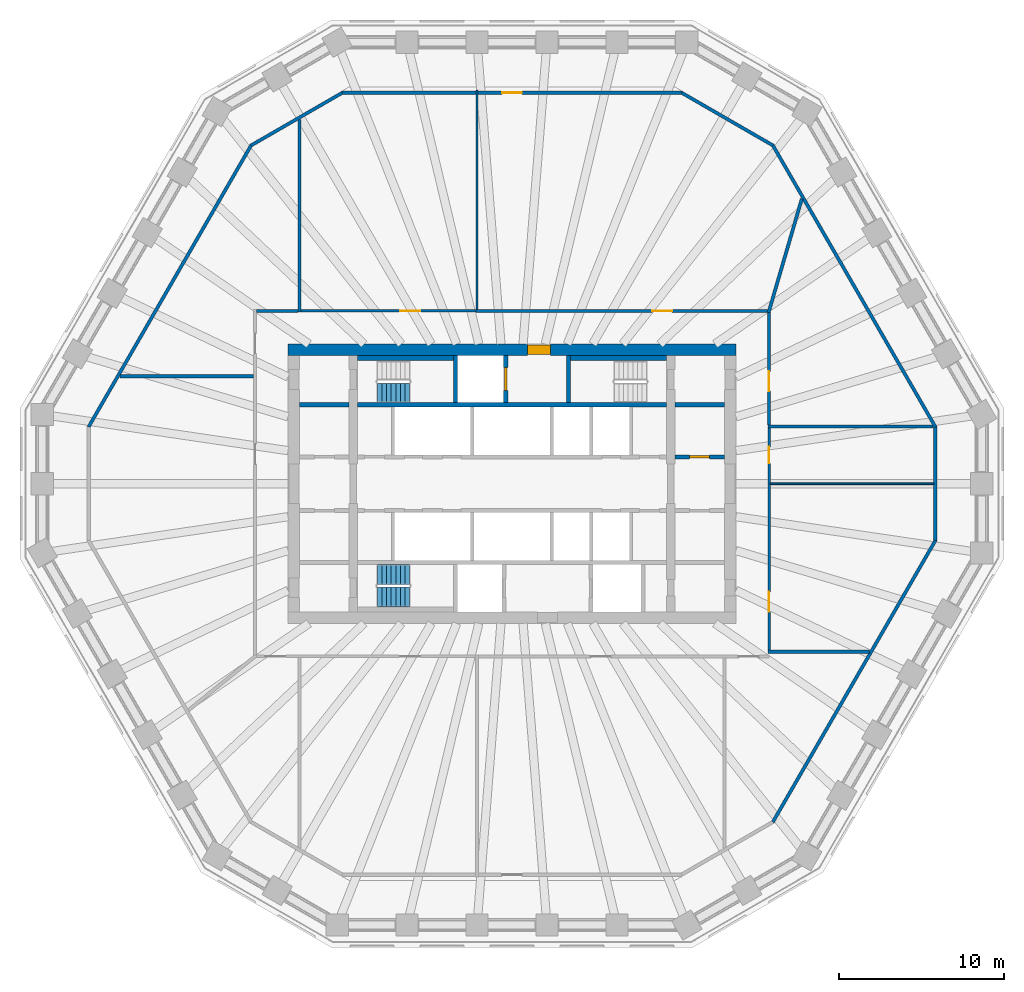
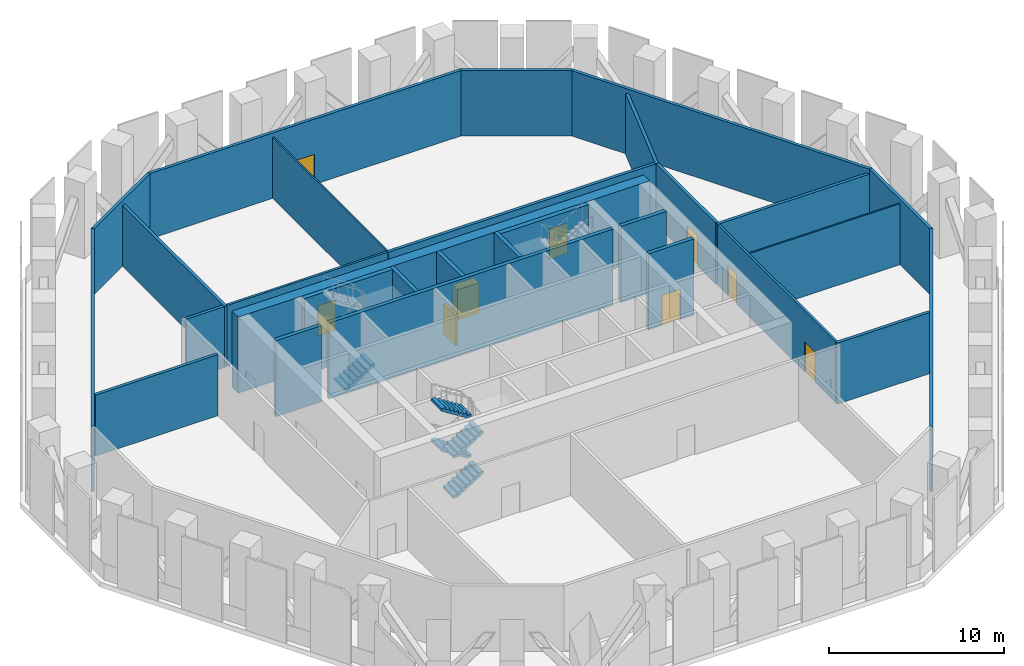
# One storey, part 5 of 8: 29 walls, 9 doors, 5 stair flights, 9 openings, 2 elements without a shape of their own.
"""IFC4 building model written with IfcOpenShell, lengths in metres."""

import ifcopenshell
import ifcopenshell.guid

model = None  # the IFC model being written
_history = None  # IfcOwnerHistory: only IFC2X3 demands one
_inside = {}  # id of a spatial element -> (the spatial element, [elements in it])
_under = {}  # id of a project, library or spatial element -> (it, [spatial elements below it])
_declared = {}  # id of a project -> (the project, [libraries it declares])
_typed = {}  # id of a type object -> (the type object, [elements of that type])
_made_of = {}  # id of a material, layer set ... -> (it, [elements and type objects made of it])


def new_model(schema):
    """Start an empty IFC model of exactly this schema.

    Asked for "IFC4X3", IfcOpenShell would pick the latest addendum, in which some entities
    have other attributes; the version numbers below select the first issue.
    IFC2X3 requires an IfcOwnerHistory on every rooted entity: one is made here for all.
    """
    global model, _history
    if schema == "IFC4X3":
        model = ifcopenshell.file(schema_version=(4, 3, 0, 0))
    else:
        model = ifcopenshell.file(schema=schema)
    _inside.clear()
    _under.clear()
    _declared.clear()
    _typed.clear()
    _made_of.clear()
    _history = None
    if model.schema == "IFC2X3":
        org = make("IfcOrganization", Name="unknown")
        user = make(
            "IfcPersonAndOrganization",
            ThePerson=make("IfcPerson", FamilyName="unknown"),
            TheOrganization=org,
        )
        app = make(
            "IfcApplication",
            ApplicationDeveloper=org,
            Version="unknown",
            ApplicationFullName="unknown",
            ApplicationIdentifier="unknown",
        )
        _history = make(
            "IfcOwnerHistory",
            OwningUser=user,
            OwningApplication=app,
            ChangeAction="ADDED",
            CreationDate=0,
        )
    return model


def make(cls, **values):
    """One entity of the class cls with the attributes given. An attribute that is None is left unset."""
    return model.create_entity(
        cls, **{name: value for name, value in values.items() if value is not None}
    )


def rooted(cls, **values):
    """An entity with a GlobalId (a new one), such as an element, a storey or a relation."""
    return make(cls, GlobalId=ifcopenshell.guid.new(), OwnerHistory=_history, **values)


def si_unit(unit_type, name, prefix=None):
    """IfcSIUnit, for example si_unit("LENGTHUNIT", "METRE", prefix="MILLI")."""
    return make("IfcSIUnit", UnitType=unit_type, Prefix=prefix, Name=name)


def assignment(units):
    """IfcUnitAssignment: the units of a project."""
    return None if units is None else make("IfcUnitAssignment", Units=units)


def point(xyz):
    """IfcCartesianPoint."""
    return None if xyz is None else make("IfcCartesianPoint", Coordinates=xyz)


def direction(xyz):
    """IfcDirection."""
    return None if xyz is None else make("IfcDirection", DirectionRatios=xyz)


def frame(location, z_axis=None, x_axis=None):
    """IfcAxis2Placement3D, a coordinate frame: its origin and axes. An axis left out is left unset."""
    return make(
        "IfcAxis2Placement3D",
        Location=point(location),
        Axis=direction(z_axis),
        RefDirection=direction(x_axis),
    )


def frame_2d(location, x_axis=None):
    """IfcAxis2Placement2D, a coordinate frame in the plane: its origin and x axis."""
    return make(
        "IfcAxis2Placement2D", Location=point(location), RefDirection=direction(x_axis)
    )


def origin():
    """The frame at (0, 0, 0) with its axes left unset."""
    return frame((0.0, 0.0, 0.0))


def place(relative_to, where):
    """IfcLocalPlacement: puts the frame where relative to a parent placement (None: the world)."""
    return make(
        "IfcLocalPlacement", PlacementRelTo=relative_to, RelativePlacement=where
    )


def context(
    kind, dimensions, precision=None, world=None, true_north=None, identifier=None
):
    """IfcGeometricRepresentationContext, for example the 3D "Model" context."""
    return make(
        "IfcGeometricRepresentationContext",
        ContextIdentifier=identifier,
        ContextType=kind,
        CoordinateSpaceDimension=dimensions,
        Precision=precision,
        WorldCoordinateSystem=world,
        TrueNorth=true_north,
    )


def subcontext(parent, identifier, kind, view, scale=None):
    """IfcGeometricRepresentationSubContext, for example "Body" below "Model"."""
    return make(
        "IfcGeometricRepresentationSubContext",
        ContextIdentifier=identifier,
        ContextType=kind,
        ParentContext=parent,
        TargetScale=scale,
        TargetView=view,
    )


def project(units=None, contexts=None):
    """IfcProject with its units and contexts."""
    return rooted(
        "IfcProject",
        Name="project",
        RepresentationContexts=contexts,
        UnitsInContext=assignment(units),
    )


def spatial(cls, under=None, at=None, **own):
    """A site, building, storey or space (cls), placed at a placement, below another one or the project."""
    s = rooted(cls, ObjectPlacement=at, **own)
    if under is not None:
        _under.setdefault(under.id(), (under, []))[1].append(s)
    return s


def polyline(points):
    """IfcPolyline through the points."""
    return make("IfcPolyline", Points=[point(p) for p in points])


def profile(cls, at=None, kind="AREA", **sizes):
    """A parametric profile (cls). Its sizes go by their IFC names, for example OverallWidth=200.0."""
    return make(cls, ProfileType=kind, Position=at, **sizes)


def rectangle(**sizes):
    """IfcRectangleProfileDef."""
    return profile("IfcRectangleProfileDef", **sizes)


def outline(outer, holes=None, kind="AREA"):
    """IfcArbitraryClosedProfileDef: a profile drawn as a closed curve; with holes, ...WithVoids."""
    if holes is None:
        return make("IfcArbitraryClosedProfileDef", ProfileType=kind, OuterCurve=outer)
    return make(
        "IfcArbitraryProfileDefWithVoids",
        ProfileType=kind,
        OuterCurve=outer,
        InnerCurves=holes,
    )


def extrude(swept, where, along, depth):
    """IfcExtrudedAreaSolid: the profile swept, set in the frame where, extruded along a direction by depth."""
    return make(
        "IfcExtrudedAreaSolid",
        SweptArea=swept,
        Position=where,
        ExtrudedDirection=direction(along),
        Depth=depth,
    )


def shape(context_of_items, identifier, shape_type, items):
    """IfcShapeRepresentation: the items that make up one representation, for example the "Body"."""
    return make(
        "IfcShapeRepresentation",
        ContextOfItems=context_of_items,
        RepresentationIdentifier=identifier,
        RepresentationType=shape_type,
        Items=items,
    )


def material(Name=None, Category=None):
    """IfcMaterial."""
    return make("IfcMaterial", Name=Name, Category=Category)


def layer(
    of_material, thickness, ventilated=None, Name=None, Category=None, Priority=None
):
    """IfcMaterialLayer: one layer of a wall or slab, of a material (None: an air gap)."""
    return make(
        "IfcMaterialLayer",
        Material=of_material,
        LayerThickness=thickness,
        IsVentilated=ventilated,
        Name=Name,
        Category=Category,
        Priority=Priority,
    )


def layer_set(layers, Name=None):
    """IfcMaterialLayerSet."""
    return make("IfcMaterialLayerSet", MaterialLayers=layers, LayerSetName=Name)


def made_of(thing, what):
    """Note that an element or type object is made of a material, layer set ...; save() writes the relation."""
    if what is not None:
        _made_of.setdefault(what.id(), (what, []))[1].append(thing)
    return thing


def type_object(cls, material=None, **own):
    """A type object (cls), such as IfcWallType, which elements share."""
    return made_of(rooted(cls, **own), material)


def element(
    cls,
    number,
    at=None,
    inside=None,
    cuts=None,
    type_object=None,
    material=None,
    context=None,
    identifier="Body",
    shape_type=None,
    held_by="IfcProductDefinitionShape",
    body=None,
    shapes=None,
    **own,
):
    """One element of the class cls, such as IfcWall. Its Tag is "e" and its number.

    at: its placement. inside: the storey or other place that contains it. cuts: it is an
    opening in that element (IfcRelVoidsElement). A single representation is given by context,
    identifier, shape_type and body (its items); several are given by shapes. held_by: the class
    of the entity that holds the representations. save() writes the other relations.
    """
    e = rooted(cls, Tag="e%d" % number, ObjectPlacement=at, **own)
    if body is not None:
        shapes = [shape(context, identifier, shape_type, body)]
    if shapes is not None:
        e.Representation = make(held_by, Representations=shapes)
    if inside is not None:
        _inside.setdefault(inside.id(), (inside, []))[1].append(e)
    if cuts is not None:
        rooted(
            "IfcRelVoidsElement", RelatingBuildingElement=cuts, RelatedOpeningElement=e
        )
    if type_object is not None:
        _typed.setdefault(type_object.id(), (type_object, []))[1].append(e)
    return made_of(e, material)


def fill(opening, filler):
    """IfcRelFillsElement: the door or window that sits in an opening."""
    return rooted(
        "IfcRelFillsElement",
        RelatingOpeningElement=opening,
        RelatedBuildingElement=filler,
    )


def aggregate(whole, parts):
    """IfcRelAggregates: a whole, such as a stair, and the parts it consists of."""
    return rooted("IfcRelAggregates", RelatingObject=whole, RelatedObjects=parts)


def save(model, path):
    """Write the relations noted so far, then the file.

    IfcRelAggregates (storeys below a building ...), IfcRelContainedInSpatialStructure (elements
    in a storey), IfcRelDefinesByType, IfcRelAssociatesMaterial and IfcRelDeclares: one each for
    every whole, place, type object, material and project.
    """
    for whole, parts in _under.values():
        aggregate(whole, parts)
    for where, things in _inside.values():
        rooted(
            "IfcRelContainedInSpatialStructure",
            RelatedElements=things,
            RelatingStructure=where,
        )
    for kind, things in _typed.values():
        rooted("IfcRelDefinesByType", RelatedObjects=things, RelatingType=kind)
    for what, things in _made_of.values():
        rooted("IfcRelAssociatesMaterial", RelatedObjects=things, RelatingMaterial=what)
    for by, libraries in _declared.values():
        rooted("IfcRelDeclares", RelatingContext=by, RelatedDefinitions=libraries)
    model.write(path)


model = new_model("IFC4")

# Units and contexts
model_context = context("Model", 3, precision=1e-05, world=origin(), true_north=direction((0.0, 1.0)))
body_context = subcontext(model_context, "Body", "Model", "MODEL_VIEW")
ifc_project = project(units=[si_unit("LENGTHUNIT", "METRE"), si_unit("AREAUNIT", "SQUARE_METRE"), si_unit("VOLUMEUNIT", "CUBIC_METRE"), si_unit("PLANEANGLEUNIT", "RADIAN"), si_unit("MASSUNIT", "GRAM", prefix="KILO")], contexts=[model_context])

# Site, building, storey
site_placement = place(None, origin())
site = spatial("IfcSite", under=ifc_project, at=site_placement, CompositionType="ELEMENT")
building_placement = place(site_placement, origin())
building = spatial("IfcBuilding", under=site, at=building_placement, Name="Frailejon Research Tower", CompositionType="ELEMENT")
storey_placement = place(building_placement, frame((0.0, 0.0, 139.60009765625)))
storey = spatial("IfcBuildingStorey", under=building, at=storey_placement, Name="L30", CompositionType="ELEMENT", Elevation=139.60009765625)

# Wall, opening, door
ifc_material_1 = material(Name="Concrete C60/75", Category="concrete")
ifc_layer_1 = layer(ifc_material_1, 0.699951171875)
ifc_layer_set_1 = layer_set([ifc_layer_1], Name="Core shear wall 700 C60/75")
wall_type_1 = type_object("IfcWallType", Name="Core shear wall 700 C60/75", PredefinedType="SHEAR", material=ifc_layer_set_1)
wall_1_placement = place(storey_placement, frame((-13.550048828125, 8.10009765625, 0.0), z_axis=(0.0, 0.0, 1.0), x_axis=(1.0, 0.0, 0.0)))
wall_1 = element("IfcWall", 1, at=wall_1_placement, inside=storey, type_object=wall_type_1, Name="Core shear wall", PredefinedType="SHEAR", context=body_context, shape_type="SweptSolid", body=[
    extrude(rectangle(XDim=27.10009765625, YDim=0.699951171875, at=frame_2d((13.550048828125, 0.0))), origin(), (0.0, 0.0, 1.0), 5.2998046875),
])
opening_1_placement = place(wall_1_placement, frame((14.47509765625, 0.0, 0.0)))
opening_1 = element("IfcOpeningElement", 2, at=opening_1_placement, cuts=wall_1, Name="Opening D9", PredefinedType="OPENING", context=body_context, shape_type="SweptSolid", body=[
    extrude(rectangle(XDim=1.39990234375, YDim=2.10009765625, at=frame_2d((0.699951171875, 1.050048828125))), frame((0.0, 0.35986328125, 0.0), z_axis=(0.0, -1.0, 0.0), x_axis=(1.0, 0.0, 0.0)), (0.0, 0.0, 1.0), 0.719970703125),
])
ifc_material_2 = material(Name="Steel", Category="steel")
door_type_1 = type_object("IfcDoorType", Name="Goods lobby door", OperationType="DOUBLE_DOOR_SINGLE_SWING", PredefinedType="DOOR", material=ifc_material_2)
door_1_placement = place(opening_1_placement, origin())
door_1 = element("IfcDoor", 3, at=door_1_placement, inside=storey, type_object=door_type_1, Name="Goods lobby door", OperationType="DOUBLE_DOOR_SINGLE_SWING", OverallHeight=2.10009765625, OverallWidth=1.39990234375, PredefinedType="DOOR", context=body_context, shape_type="SweptSolid", body=[
    extrude(rectangle(XDim=1.39990234375, YDim=2.10009765625, at=frame_2d((0.699951171875, 1.050048828125))), frame((0.0, 0.300048828125, 0.0), z_axis=(0.0, -1.0, 0.0), x_axis=(1.0, 0.0, 0.0)), (0.0, 0.0, 1.0), 0.60009765625),
])
fill(opening_1, door_1)

# Wall, openings, doors
ifc_material_3 = material(Name="Gypsum board and masonry partition", Category="masonry")
ifc_layer_2 = layer(ifc_material_3, 0.14990234375)
ifc_layer_set_2 = layer_set([ifc_layer_2], Name="Corridor wall EI 60, gypsum on steel studs 150")
wall_type_2 = type_object("IfcWallType", Name="Corridor wall EI 60, gypsum on steel studs 150", PredefinedType="PARTITIONING", material=ifc_layer_set_2)
wall_2_placement = place(storey_placement, frame((15.550048828125, -10.0673828125, 0.0), z_axis=(0.0, 0.0, 1.0), x_axis=(0.0, 1.0, 0.0)))
wall_2 = element("IfcWall", 4, at=wall_2_placement, inside=storey, type_object=wall_type_2, Name="T:IW:L30:001", PredefinedType="PARTITIONING", context=body_context, shape_type="SweptSolid", body=[
    extrude(rectangle(XDim=13.431396484375, YDim=0.14990234375, at=frame_2d((6.7158203125, 0.0))), origin(), (0.0, 0.0, 1.0), 4.25),
])
opening_2_placement = place(wall_2_placement, frame((11.299560546875, 0.0, 0.0)))
opening_2 = element("IfcOpeningElement", 5, at=opening_2_placement, cuts=wall_2, Name="Opening D1109", PredefinedType="OPENING", context=body_context, shape_type="SweptSolid", body=[
    extrude(rectangle(XDim=1.0, YDim=2.10009765625, at=frame_2d((0.5, 1.050048828125))), frame((0.0, 0.0849609375, 0.0), z_axis=(0.0, -1.0, 0.0), x_axis=(1.0, 0.0, 0.0)), (0.0, 0.0, 1.0), 0.169921875),
])
opening_3_placement = place(wall_2_placement, frame((2.31689453125, 0.0, 0.0)))
opening_3 = element("IfcOpeningElement", 6, at=opening_3_placement, cuts=wall_2, Name="Opening D1119", PredefinedType="OPENING", context=body_context, shape_type="SweptSolid", body=[
    extrude(rectangle(XDim=1.199951171875, YDim=2.10009765625, at=frame_2d((0.60009765625, 1.050048828125))), frame((0.0, 0.0849609375, 0.0), z_axis=(0.0, -1.0, 0.0), x_axis=(1.0, 0.0, 0.0)), (0.0, 0.0, 1.0), 0.169921875),
])
ifc_material_4 = material(Name="Timber door leaf", Category="wood")
door_type_2 = type_object("IfcDoorType", Name="Door single leaf, timber, steel frame 1000", OperationType="NOTDEFINED", PredefinedType="DOOR", material=ifc_material_4)
door_2_placement = place(opening_2_placement, origin())
door_2 = element("IfcDoor", 7, at=door_2_placement, inside=storey, type_object=door_type_2, Name="D1109", OperationType="SINGLE_SWING_LEFT", OverallHeight=2.10009765625, OverallWidth=1.0, PredefinedType="DOOR", context=body_context, shape_type="SweptSolid", body=[
    extrude(rectangle(XDim=1.0, YDim=2.10009765625, at=frame_2d((0.5, 1.050048828125))), frame((0.0, 0.02490234375, 0.0), z_axis=(0.0, -1.0, 0.0), x_axis=(1.0, 0.0, 0.0)), (0.0, 0.0, 1.0), 0.050048828125),
])
fill(opening_2, door_2)
ifc_material_5 = material(Name="Timber door leaf", Category="wood")
door_type_3 = type_object("IfcDoorType", Name="Door single leaf, timber, steel frame 1200", OperationType="NOTDEFINED", PredefinedType="DOOR", material=ifc_material_5)
door_3_placement = place(opening_3_placement, origin())
door_3 = element("IfcDoor", 8, at=door_3_placement, inside=storey, type_object=door_type_3, Name="D1119", OperationType="DOUBLE_DOOR_SINGLE_SWING", OverallHeight=2.10009765625, OverallWidth=1.199951171875, PredefinedType="DOOR", context=body_context, shape_type="SweptSolid", body=[
    extrude(rectangle(XDim=1.199951171875, YDim=2.10009765625, at=frame_2d((0.60009765625, 1.050048828125))), frame((0.0, 0.02490234375, 0.0), z_axis=(0.0, -1.0, 0.0), x_axis=(1.0, 0.0, 0.0)), (0.0, 0.0, 1.0), 0.050048828125),
])
fill(opening_3, door_3)

# Wall, opening, door
wall_3_placement = place(storey_placement, frame((-12.75634765625, 10.449951171875, 0.0), z_axis=(0.0, 0.0, 1.0), x_axis=(1.0, 0.0, 0.0)))
wall_3 = element("IfcWall", 9, at=wall_3_placement, inside=storey, type_object=wall_type_2, Name="T:IW:L30:002", PredefinedType="PARTITIONING", context=body_context, shape_type="SweptSolid", body=[
    extrude(rectangle(XDim=10.59033203125, YDim=0.14990234375, at=frame_2d((5.295166015625, 0.0))), origin(), (0.0, 0.0, 1.0), 4.25),
])
opening_4_placement = place(wall_3_placement, frame((5.996337890625, 0.0, 0.0)))
opening_4 = element("IfcOpeningElement", 10, at=opening_4_placement, cuts=wall_3, Name="Opening D1112", PredefinedType="OPENING", context=body_context, shape_type="SweptSolid", body=[
    extrude(rectangle(XDim=1.199951171875, YDim=2.10009765625, at=frame_2d((0.60009765625, 1.050048828125))), frame((0.0, 0.0849609375, 0.0), z_axis=(0.0, -1.0, 0.0), x_axis=(1.0, 0.0, 0.0)), (0.0, 0.0, 1.0), 0.169921875),
])
door_4_placement = place(opening_4_placement, origin())
door_4 = element("IfcDoor", 11, at=door_4_placement, inside=storey, type_object=door_type_3, Name="D1112", OperationType="DOUBLE_DOOR_SINGLE_SWING", OverallHeight=2.10009765625, OverallWidth=1.199951171875, PredefinedType="DOOR", context=body_context, shape_type="SweptSolid", body=[
    extrude(rectangle(XDim=1.199951171875, YDim=2.10009765625, at=frame_2d((0.60009765625, 1.050048828125))), frame((0.0, 0.02490234375, 0.0), z_axis=(0.0, -1.0, 0.0), x_axis=(1.0, 0.0, 0.0)), (0.0, 0.0, 1.0), 0.050048828125),
])
fill(opening_4, door_4)

# Walls
ifc_material_6 = material(Name="Aluminium louvre panel wall", Category="aluminium")
ifc_layer_3 = layer(ifc_material_6, 0.199951171875)
ifc_layer_set_3 = layer_set([ifc_layer_3], Name="Louvred plant wall 200")
wall_type_3 = type_object("IfcWallType", Name="Louvred plant wall 200", PredefinedType="SOLIDWALL", material=ifc_layer_set_3)
wall_4_placement = place(storey_placement, frame((25.61279296875, -3.437255859375, 0.0), z_axis=(0.0, 0.0, 1.0), x_axis=(0.0, 1.0, 0.0)))
element("IfcWall", 12, at=wall_4_placement, inside=storey, type_object=wall_type_3, Name="Plant louvre wall L30", PredefinedType="SOLIDWALL", context=body_context, shape_type="SweptSolid", body=[
    extrude(outline(polyline([(-0.02685546875, -0.10009765625), (6.9013671875, -0.10009765625), (6.84765625, 0.10009765625), (0.02685546875, 0.10009765625), (-0.02685546875, -0.10009765625)])), origin(), (0.0, 0.0, 1.0), 4.5498046875),
])
wall_5_placement = place(storey_placement, frame((25.61279296875, 3.437255859375, 0.0), z_axis=(0.0, 0.0, 1.0), x_axis=(-0.499999083763, 0.866025932773, 0.0)))
element("IfcWall", 13, at=wall_5_placement, inside=storey, type_object=wall_type_3, Name="Plant louvre wall L30", PredefinedType="SOLIDWALL", context=body_context, shape_type="SweptSolid", body=[
    extrude(outline(polyline([(-0.02685546875, -0.10009765625), (19.68603515625, -0.10009765625), (19.63232421875, 0.10009765625), (0.02685546875, 0.10009765625), (-0.02685546875, -0.10009765625)])), origin(), (0.0, 0.0, 1.0), 4.5498046875),
])
wall_6_placement = place(storey_placement, frame((15.783203125, 20.462646484375, 0.0), z_axis=(0.0, 0.0, 1.0), x_axis=(-0.866026138243, 0.499998727878, 0.0)))
element("IfcWall", 14, at=wall_6_placement, inside=storey, type_object=wall_type_3, Name="Plant louvre wall L30", PredefinedType="SOLIDWALL", context=body_context, shape_type="SweptSolid", body=[
    extrude(outline(polyline([(-0.02685546875, -0.10009765625), (6.4013671875, -0.10009765625), (6.34765625, 0.10009765625), (0.02685546875, 0.10009765625), (-0.02685546875, -0.10009765625)])), origin(), (0.0, 0.0, 1.0), 4.5498046875),
])

# Wall, opening, door
wall_7_placement = place(storey_placement, frame((10.2626953125, 23.64990234375, 0.0), z_axis=(0.0, 0.0, 1.0), x_axis=(-1.0, 0.0, 0.0)))
wall_7 = element("IfcWall", 15, at=wall_7_placement, inside=storey, type_object=wall_type_3, Name="Plant louvre wall L30", PredefinedType="SOLIDWALL", context=body_context, shape_type="SweptSolid", body=[
    extrude(outline(polyline([(-0.02685546875, -0.10009765625), (20.55224609375, -0.10009765625), (20.49853515625, 0.10009765625), (0.02685546875, 0.10009765625), (-0.02685546875, -0.10009765625)])), origin(), (0.0, 0.0, 1.0), 4.5498046875),
])
opening_5_placement = place(wall_7_placement, frame((9.66259765625, 0.0, 0.0)))
opening_5 = element("IfcOpeningElement", 16, at=opening_5_placement, cuts=wall_7, Name="Opening PG30-1", PredefinedType="OPENING", context=body_context, shape_type="SweptSolid", body=[
    extrude(rectangle(XDim=1.199951171875, YDim=2.10009765625, at=frame_2d((0.60009765625, 1.050048828125))), frame((0.0, 0.10986328125, 0.0), z_axis=(0.0, -1.0, 0.0), x_axis=(1.0, 0.0, 0.0)), (0.0, 0.0, 1.0), 0.219970703125),
])
ifc_material_7 = material(Name="Steel door leaf", Category="steel")
door_type_4 = type_object("IfcDoorType", Name="Plant gallery door 1200x2100", OperationType="SINGLE_SWING_RIGHT", PredefinedType="DOOR", material=ifc_material_7)
door_5_placement = place(opening_5_placement, origin())
door_5 = element("IfcDoor", 17, at=door_5_placement, inside=storey, type_object=door_type_4, Name="Door PG30-1", OperationType="SINGLE_SWING_RIGHT", OverallHeight=2.10009765625, OverallWidth=1.199951171875, PredefinedType="DOOR", context=body_context, shape_type="SweptSolid", body=[
    extrude(rectangle(XDim=1.199951171875, YDim=2.10009765625, at=frame_2d((0.60009765625, 1.050048828125))), frame((0.0, 0.02490234375, 0.0), z_axis=(0.0, -1.0, 0.0), x_axis=(1.0, 0.0, 0.0)), (0.0, 0.0, 1.0), 0.050048828125),
])
fill(opening_5, door_5)

# Walls
wall_8_placement = place(storey_placement, frame((-10.2626953125, 23.64990234375, 0.0), z_axis=(0.0, 0.0, 1.0), x_axis=(-0.866026138243, -0.499998727878, 0.0)))
element("IfcWall", 18, at=wall_8_placement, inside=storey, type_object=wall_type_3, Name="Plant louvre wall L30", PredefinedType="SOLIDWALL", context=body_context, shape_type="SweptSolid", body=[
    extrude(outline(polyline([(-0.02685546875, -0.10009765625), (6.4013671875, -0.10009765625), (6.34765625, 0.10009765625), (0.02685546875, 0.10009765625), (-0.02685546875, -0.10009765625)])), origin(), (0.0, 0.0, 1.0), 4.5498046875),
])
for number, where, z_axis, x_axis, name in (
    (19, (-15.783203125, 20.462646484375, 0.0), (0.0, 0.0, 1.0), (-0.499999083763, -0.866025932773, 0.0), "Plant louvre wall L30"),
    (20, (15.783203125, -20.462646484375, 0.0), (0.0, 0.0, 1.0), (0.499999083763, 0.866025932773, 0.0), "Plant louvre wall L30"),
):
    element("IfcWall", number, at=place(storey_placement, frame(where, z_axis=z_axis, x_axis=x_axis)), inside=storey, type_object=wall_type_3, Name=name, PredefinedType="SOLIDWALL", context=body_context, shape_type="SweptSolid", body=[
        extrude(outline(polyline([(-0.02685546875, -0.10009765625), (19.68603515625, -0.10009765625), (19.63232421875, 0.10009765625), (0.02685546875, 0.10009765625), (-0.02685546875, -0.10009765625)])), origin(), (0.0, 0.0, 1.0), 4.5498046875),
    ])
ifc_material_8 = material(Name="Gypsum board and masonry partition", Category="masonry")
ifc_layer_4 = layer(ifc_material_8, 0.10009765625)
ifc_layer_set_4 = layer_set([ifc_layer_4], Name="Partition, gypsum on steel studs 100")
wall_type_4 = type_object("IfcWallType", Name="Partition, gypsum on steel studs 100", PredefinedType="PARTITIONING", material=ifc_layer_set_4)
wall_9_placement = place(storey_placement, frame((15.625, 0.0, 0.0), z_axis=(0.0, 0.0, 1.0), x_axis=(1.0, 0.0, 0.0)))
element("IfcWall", 21, at=wall_9_placement, inside=storey, type_object=wall_type_4, Name="T:IW:L30:004", PredefinedType="PARTITIONING", context=body_context, shape_type="SweptSolid", body=[
    extrude(rectangle(XDim=9.8876953125, YDim=0.10009765625, at=frame_2d((4.94384765625, 0.0))), origin(), (0.0, 0.0, 1.0), 4.25),
])
wall_10_placement = place(storey_placement, frame((-2.115966796875, 10.550048828125, 0.0), z_axis=(0.0, 0.0, 1.0), x_axis=(0.0, 1.0, 0.0)))
element("IfcWall", 22, at=wall_10_placement, inside=storey, type_object=wall_type_4, Name="T:IW:L30:005", PredefinedType="PARTITIONING", context=body_context, shape_type="SweptSolid", body=[
    extrude(rectangle(XDim=13.25, YDim=0.10009765625, at=frame_2d((6.625, 0.0))), origin(), (0.0, 0.0, 1.0), 4.25),
])

# Wall, opening, door
ifc_material_9 = material(Name="Gypsum board and masonry partition", Category="masonry")
ifc_layer_5 = layer(ifc_material_9, 0.199951171875)
ifc_layer_set_5 = layer_set([ifc_layer_5], Name="Plant enclosure wall, blockwork 200")
wall_type_5 = type_object("IfcWallType", Name="Plant enclosure wall, blockwork 200", PredefinedType="PARTITIONING", material=ifc_layer_set_5)
wall_11_placement = place(storey_placement, frame((15.550048828125, 3.564208984375, 0.0), z_axis=(0.0, 0.0, 1.0), x_axis=(0.0, 1.0, 0.0)))
wall_11 = element("IfcWall", 23, at=wall_11_placement, inside=storey, type_object=wall_type_5, Name="T:IW:L30:006", PredefinedType="PARTITIONING", context=body_context, shape_type="SweptSolid", body=[
    extrude(rectangle(XDim=6.785888671875, YDim=0.199951171875, at=frame_2d((3.39306640625, 0.0))), origin(), (0.0, 0.0, 1.0), 4.25),
])
opening_6_placement = place(wall_11_placement, frame((2.030029296875, 0.0, 0.0)))
opening_6 = element("IfcOpeningElement", 24, at=opening_6_placement, cuts=wall_11, Name="Opening D1110", PredefinedType="OPENING", context=body_context, shape_type="SweptSolid", body=[
    extrude(rectangle(XDim=1.199951171875, YDim=2.10009765625, at=frame_2d((0.60009765625, 1.050048828125))), frame((0.0, 0.10986328125, 0.0), z_axis=(0.0, -1.0, 0.0), x_axis=(1.0, 0.0, 0.0)), (0.0, 0.0, 1.0), 0.219970703125),
])
ifc_material_10 = material(Name="Steel door leaf", Category="steel")
door_type_5 = type_object("IfcDoorType", Name="Door plant room, steel 1200", OperationType="NOTDEFINED", PredefinedType="DOOR", material=ifc_material_10)
door_6_placement = place(opening_6_placement, origin())
door_6 = element("IfcDoor", 25, at=door_6_placement, inside=storey, type_object=door_type_5, Name="D1110", OperationType="DOUBLE_DOOR_SINGLE_SWING", OverallHeight=2.10009765625, OverallWidth=1.199951171875, PredefinedType="DOOR", context=body_context, shape_type="SweptSolid", body=[
    extrude(rectangle(XDim=1.199951171875, YDim=2.10009765625, at=frame_2d((0.60009765625, 1.050048828125))), frame((0.0, 0.02490234375, 0.0), z_axis=(0.0, -1.0, 0.0), x_axis=(1.0, 0.0, 0.0)), (0.0, 0.0, 1.0), 0.050048828125),
])
fill(opening_6, door_6)

# Wall
wall_12_placement = place(storey_placement, frame((-15.449951171875, 10.449951171875, 0.0), z_axis=(0.0, 0.0, 1.0), x_axis=(1.0, 0.0, 0.0)))
element("IfcWall", 26, at=wall_12_placement, inside=storey, type_object=wall_type_5, Name="T:IW:L30:007", PredefinedType="PARTITIONING", context=body_context, shape_type="SweptSolid", body=[
    extrude(rectangle(XDim=2.49365234375, YDim=0.199951171875, at=frame_2d((1.246826171875, 0.0))), origin(), (0.0, 0.0, 1.0), 4.25),
])

# Wall, opening, door
wall_13_placement = place(storey_placement, frame((-2.166015625, 10.449951171875, 0.0), z_axis=(0.0, 0.0, 1.0), x_axis=(1.0, 0.0, 0.0)))
wall_13 = element("IfcWall", 27, at=wall_13_placement, inside=storey, type_object=wall_type_5, Name="T:IW:L30:008", PredefinedType="PARTITIONING", context=body_context, shape_type="SweptSolid", body=[
    extrude(rectangle(XDim=17.615966796875, YDim=0.199951171875, at=frame_2d((8.80810546875, 0.0))), origin(), (0.0, 0.0, 1.0), 4.25),
])
opening_7_placement = place(wall_13_placement, frame((10.64794921875, 0.0, 0.0)))
opening_7 = element("IfcOpeningElement", 28, at=opening_7_placement, cuts=wall_13, Name="Opening D1111", PredefinedType="OPENING", context=body_context, shape_type="SweptSolid", body=[
    extrude(rectangle(XDim=1.199951171875, YDim=2.10009765625, at=frame_2d((0.60009765625, 1.050048828125))), frame((0.0, 0.10986328125, 0.0), z_axis=(0.0, -1.0, 0.0), x_axis=(1.0, 0.0, 0.0)), (0.0, 0.0, 1.0), 0.219970703125),
])
door_7_placement = place(opening_7_placement, origin())
door_7 = element("IfcDoor", 29, at=door_7_placement, inside=storey, type_object=door_type_5, Name="D1111", OperationType="DOUBLE_DOOR_SINGLE_SWING", OverallHeight=2.10009765625, OverallWidth=1.199951171875, PredefinedType="DOOR", context=body_context, shape_type="SweptSolid", body=[
    extrude(rectangle(XDim=1.199951171875, YDim=2.10009765625, at=frame_2d((0.60009765625, 1.050048828125))), frame((0.0, 0.02490234375, 0.0), z_axis=(0.0, -1.0, 0.0), x_axis=(1.0, 0.0, 0.0)), (0.0, 0.0, 1.0), 0.050048828125),
])
fill(opening_7, door_7)

# Walls
wall_14_placement = place(storey_placement, frame((15.47509765625, 3.464111328125, 0.0), z_axis=(0.0, 0.0, 1.0), x_axis=(1.0, 0.0, 0.0)))
element("IfcWall", 30, at=wall_14_placement, inside=storey, type_object=wall_type_5, Name="T:IW:L30:011", PredefinedType="PARTITIONING", context=body_context, shape_type="SweptSolid", body=[
    extrude(rectangle(XDim=10.0068359375, YDim=0.199951171875, at=frame_2d((5.00341796875, 0.0))), origin(), (0.0, 0.0, 1.0), 4.25),
])
wall_15_placement = place(storey_placement, frame((15.52197265625, 10.35400390625, 0.0), z_axis=(0.0, 0.0, 1.0), x_axis=(0.280633147228, 0.959815105464, 0.0)))
element("IfcWall", 31, at=wall_15_placement, inside=storey, type_object=wall_type_5, Name="T:IW:L30:012", PredefinedType="PARTITIONING", context=body_context, shape_type="SweptSolid", body=[
    extrude(rectangle(XDim=7.165771484375, YDim=0.199951171875, at=frame_2d((3.5830078125, 0.0))), origin(), (0.0, 0.0, 1.0), 4.25),
])
wall_16_placement = place(storey_placement, frame((-12.8564453125, 10.375, 0.0), z_axis=(0.0, 0.0, 1.0), x_axis=(0.0, 1.0, 0.0)))
element("IfcWall", 32, at=wall_16_placement, inside=storey, type_object=wall_type_5, Name="T:IW:L30:014", PredefinedType="PARTITIONING", context=body_context, shape_type="SweptSolid", body=[
    extrude(rectangle(XDim=11.662109375, YDim=0.199951171875, at=frame_2d((5.8310546875, 0.0))), origin(), (0.0, 0.0, 1.0), 4.25),
])
wall_17_placement = place(storey_placement, frame((-23.7275390625, 6.50244140625, 0.0), z_axis=(0.0, 0.0, 1.0), x_axis=(1.0, 0.0, 0.0)))
element("IfcWall", 33, at=wall_17_placement, inside=storey, type_object=wall_type_5, Name="T:IW:L30:015", PredefinedType="PARTITIONING", context=body_context, shape_type="SweptSolid", body=[
    extrude(rectangle(XDim=8.07763671875, YDim=0.199951171875, at=frame_2d((4.038818359375, 0.0))), origin(), (0.0, 0.0, 1.0), 4.25),
])
wall_18_placement = place(storey_placement, frame((15.47509765625, -10.16748046875, 0.0), z_axis=(0.0, 0.0, 1.0), x_axis=(1.0, 0.0, 0.0)))
element("IfcWall", 34, at=wall_18_placement, inside=storey, type_object=wall_type_5, Name="T:IW:L30:019", PredefinedType="PARTITIONING", context=body_context, shape_type="SweptSolid", body=[
    extrude(rectangle(XDim=6.13671875, YDim=0.199951171875, at=frame_2d((3.068359375, 0.0))), origin(), (0.0, 0.0, 1.0), 4.25),
])

# Wall, opening, door
ifc_material_11 = material(Name="Concrete C60/75", Category="concrete")
ifc_layer_6 = layer(ifc_material_11, 0.25)
ifc_layer_set_6 = layer_set([ifc_layer_6], Name="Shaft wall 250 C60/75")
wall_type_6 = type_object("IfcWallType", Name="Shaft wall 250 C60/75", PredefinedType="SOLIDWALL", material=ifc_layer_set_6)
wall_19_placement = place(storey_placement, frame((9.85009765625, 1.625, 0.0), z_axis=(0.0, 0.0, 1.0), x_axis=(1.0, 0.0, 0.0)))
wall_19 = element("IfcWall", 35, at=wall_19_placement, inside=storey, type_object=wall_type_6, Name="Shaft wall", PredefinedType="SOLIDWALL", context=body_context, shape_type="SweptSolid", body=[
    extrude(rectangle(XDim=3.0, YDim=0.25, at=frame_2d((1.5, 0.0))), origin(), (0.0, 0.0, 1.0), 5.2998046875),
])
opening_8_placement = place(wall_19_placement, frame((0.89990234375, 0.0, 0.0)))
opening_8 = element("IfcOpeningElement", 36, at=opening_8_placement, cuts=wall_19, Name="Opening D6", PredefinedType="OPENING", context=body_context, shape_type="SweptSolid", body=[
    extrude(rectangle(XDim=1.199951171875, YDim=2.10009765625, at=frame_2d((0.60009765625, 1.050048828125))), frame((0.0, 0.135009765625, 0.0), z_axis=(0.0, -1.0, 0.0), x_axis=(1.0, 0.0, 0.0)), (0.0, 0.0, 1.0), 0.27001953125),
])
ifc_material_12 = material(Name="Steel", Category="steel")
door_type_6 = type_object("IfcDoorType", Name="Plant door", OperationType="SINGLE_SWING_LEFT", PredefinedType="DOOR", material=ifc_material_12)
door_8_placement = place(opening_8_placement, origin())
door_8 = element("IfcDoor", 37, at=door_8_placement, inside=storey, type_object=door_type_6, Name="Room door", OperationType="SINGLE_SWING_LEFT", OverallHeight=2.10009765625, OverallWidth=1.199951171875, PredefinedType="DOOR", context=body_context, shape_type="SweptSolid", body=[
    extrude(rectangle(XDim=1.199951171875, YDim=2.10009765625, at=frame_2d((0.60009765625, 1.050048828125))), frame((0.0, 0.074951171875, 0.0), z_axis=(0.0, -1.0, 0.0), x_axis=(1.0, 0.0, 0.0)), (0.0, 0.0, 1.0), 0.14990234375),
])
fill(opening_8, door_8)

# Walls
wall_20_placement = place(storey_placement, frame((-12.85009765625, 4.77490234375, 0.0), z_axis=(0.0, 0.0, 1.0), x_axis=(1.0, 0.0, 0.0)))
element("IfcWall", 38, at=wall_20_placement, inside=storey, type_object=wall_type_6, Name="Shaft wall", PredefinedType="SOLIDWALL", context=body_context, shape_type="SweptSolid", body=[
    extrude(rectangle(XDim=3.0, YDim=0.25, at=frame_2d((1.5, 0.0))), origin(), (0.0, 0.0, 1.0), 5.2998046875),
])
wall_21_placement = place(storey_placement, frame((-9.35009765625, 4.77490234375, 0.0), z_axis=(0.0, 0.0, 1.0), x_axis=(1.0, 0.0, 0.0)))
element("IfcWall", 39, at=wall_21_placement, inside=storey, type_object=wall_type_6, Name="Shaft wall", PredefinedType="SOLIDWALL", context=body_context, shape_type="SweptSolid", body=[
    extrude(rectangle(XDim=18.7001953125, YDim=0.25, at=frame_2d((9.35009765625, 0.0))), origin(), (0.0, 0.0, 1.0), 5.2998046875),
])
wall_22_placement = place(storey_placement, frame((9.85009765625, 4.77490234375, 0.0), z_axis=(0.0, 0.0, 1.0), x_axis=(1.0, 0.0, 0.0)))
element("IfcWall", 40, at=wall_22_placement, inside=storey, type_object=wall_type_6, Name="Shaft wall", PredefinedType="SOLIDWALL", context=body_context, shape_type="SweptSolid", body=[
    extrude(rectangle(XDim=3.0, YDim=0.25, at=frame_2d((1.5, 0.0))), origin(), (0.0, 0.0, 1.0), 5.2998046875),
])
wall_23_placement = place(storey_placement, frame((-3.425048828125, 4.89990234375, 0.0), z_axis=(0.0, 0.0, 1.0), x_axis=(0.0, 1.0, 0.0)))
element("IfcWall", 41, at=wall_23_placement, inside=storey, type_object=wall_type_6, Name="Shaft wall", PredefinedType="SOLIDWALL", context=body_context, shape_type="SweptSolid", body=[
    extrude(rectangle(XDim=2.85009765625, YDim=0.25, at=frame_2d((1.425048828125, 0.0))), origin(), (0.0, 0.0, 1.0), 5.2998046875),
])

# Wall, opening, door
wall_24_placement = place(storey_placement, frame((-0.375, 4.89990234375, 0.0), z_axis=(0.0, 0.0, 1.0), x_axis=(0.0, 1.0, 0.0)))
wall_24 = element("IfcWall", 42, at=wall_24_placement, inside=storey, type_object=wall_type_6, Name="Shaft wall", PredefinedType="SOLIDWALL", context=body_context, shape_type="SweptSolid", body=[
    extrude(rectangle(XDim=2.85009765625, YDim=0.25, at=frame_2d((1.425048828125, 0.0))), origin(), (0.0, 0.0, 1.0), 5.2998046875),
])
opening_9_placement = place(wall_24_placement, frame((0.72509765625, 0.0, 0.0)))
opening_9 = element("IfcOpeningElement", 43, at=opening_9_placement, cuts=wall_24, Name="Opening LD2", PredefinedType="OPENING", context=body_context, shape_type="SweptSolid", body=[
    extrude(rectangle(XDim=1.39990234375, YDim=2.10009765625, at=frame_2d((0.699951171875, 1.050048828125))), frame((0.0, 0.135009765625, 0.0), z_axis=(0.0, -1.0, 0.0), x_axis=(1.0, 0.0, 0.0)), (0.0, 0.0, 1.0), 0.27001953125),
])
ifc_material_13 = material(Name="Stainless steel", Category="steel")
door_type_7 = type_object("IfcDoorType", Name="Goods landing door", OperationType="DOUBLE_DOOR_SLIDING", PredefinedType="DOOR", material=ifc_material_13)
door_9_placement = place(opening_9_placement, origin())
door_9 = element("IfcDoor", 44, at=door_9_placement, inside=storey, type_object=door_type_7, Name="Lift landing door", OperationType="DOUBLE_DOOR_SLIDING", OverallHeight=2.10009765625, OverallWidth=1.39990234375, PredefinedType="DOOR", context=body_context, shape_type="SweptSolid", body=[
    extrude(rectangle(XDim=1.39990234375, YDim=2.10009765625, at=frame_2d((0.699951171875, 1.050048828125))), frame((0.0, 0.074951171875, 0.0), z_axis=(0.0, -1.0, 0.0), x_axis=(1.0, 0.0, 0.0)), (0.0, 0.0, 1.0), 0.14990234375),
])
fill(opening_9, door_9)

# Walls
wall_25_placement = place(storey_placement, frame((3.425048828125, 4.89990234375, 0.0), z_axis=(0.0, 0.0, 1.0), x_axis=(0.0, 1.0, 0.0)))
element("IfcWall", 45, at=wall_25_placement, inside=storey, type_object=wall_type_6, Name="Shaft wall", PredefinedType="SOLIDWALL", context=body_context, shape_type="SweptSolid", body=[
    extrude(rectangle(XDim=2.85009765625, YDim=0.25, at=frame_2d((1.425048828125, 0.0))), origin(), (0.0, 0.0, 1.0), 5.2998046875),
])
ifc_material_14 = material(Name="Concrete C60/75", Category="concrete")
ifc_layer_7 = layer(ifc_material_14, 0.300048828125)
ifc_layer_set_7 = layer_set([ifc_layer_7], Name="Shaft wall 300 C60/75")
wall_type_7 = type_object("IfcWallType", Name="Shaft wall 300 C60/75", PredefinedType="SOLIDWALL", material=ifc_layer_set_7)
for number, where, z_axis, x_axis, name in (
    (46, (-9.35009765625, 7.60009765625, 0.0), (0.0, 0.0, 1.0), (1.0, 0.0, 0.0), "Shaft wall"),
    (47, (3.550048828125, 7.60009765625, 0.0), (0.0, 0.0, 1.0), (1.0, 0.0, 0.0), "Shaft wall"),
):
    element("IfcWall", number, at=place(storey_placement, frame(where, z_axis=z_axis, x_axis=x_axis)), inside=storey, type_object=wall_type_7, Name=name, PredefinedType="SOLIDWALL", context=body_context, shape_type="SweptSolid", body=[
        extrude(rectangle(XDim=5.800048828125, YDim=0.300048828125, at=frame_2d((2.89990234375, 0.0))), origin(), (0.0, 0.0, 1.0), 5.2998046875),
    ])

# Stair, stair flight
ifc_material_15 = material(Name="Concrete C50/60", Category="concrete")
stair_type = type_object("IfcStairType", Name="Exit stair 32 risers", PredefinedType="HALF_TURN_STAIR", material=ifc_material_15)
stair_1_placement = place(storey_placement, origin())
stair_1 = element("IfcStair", 48, at=stair_1_placement, inside=storey, type_object=stair_type, Name="L30 Exit stair ST1", PredefinedType="HALF_TURN_STAIR")
ifc_material_16 = material(Name="Concrete C50/60", Category="concrete")
ifc_layer_8 = layer(ifc_material_16, 0.14990234375)
ifc_layer_set_8 = layer_set([ifc_layer_8], Name="Stair flight 8 risers")
stair_flight_type = type_object("IfcStairFlightType", Name="Stair flight 8 risers", PredefinedType="STRAIGHT", material=ifc_layer_set_8)
stair_flight_1_placement = place(storey_placement, frame((-8.14990234375, 5.5, 0.0), z_axis=(0.0, 0.0, 1.0), x_axis=(1.0, 0.0, 0.0)))
stair_flight_1 = element("IfcStairFlight", 49, at=stair_flight_1_placement, type_object=stair_flight_type, Name="ST1 flight 1", NumberOfRisers=8, NumberOfTreads=7, PredefinedType="STRAIGHT", RiserHeight=0.175, TreadLength=0.28, context=body_context, shape_type="SweptSolid", body=[
    extrude(outline(polyline([(0.0, 0.0), (0.0, 0.175048828125), (0.280029296875, 0.175048828125), (0.280029296875, 0.35009765625), (0.56005859375, 0.35009765625), (0.56005859375, 0.52490234375), (0.840087890625, 0.52490234375), (0.840087890625, 0.699951171875), (1.1201171875, 0.699951171875), (1.1201171875, 0.875), (1.39990234375, 0.875), (1.39990234375, 1.050048828125), (1.679931640625, 1.050048828125), (1.679931640625, 1.22509765625), (1.9599609375, 1.22509765625), (1.9599609375, 1.39990234375), (1.9599609375, 1.04833984375), (0.28271484375, 0.0), (0.0, 0.0)])), frame((0.0, 0.60009765625, 0.0), z_axis=(0.0, -1.0, 0.0), x_axis=(1.0, 0.0, 0.0)), (0.0, 0.0, 1.0), 1.199951171875),
])
aggregate(stair_1, [stair_flight_1])

# Stair, stair flights
stair_2_placement = place(storey_placement, origin())
stair_2 = element("IfcStair", 50, at=stair_2_placement, inside=storey, type_object=stair_type, Name="L30 Exit stair ST2", PredefinedType="HALF_TURN_STAIR")
stair_flight_2_placement = place(storey_placement, frame((-8.14990234375, -6.85009765625, 0.0), z_axis=(0.0, 0.0, 1.0), x_axis=(1.0, 0.0, 0.0)))
stair_flight_2 = element("IfcStairFlight", 51, at=stair_flight_2_placement, type_object=stair_flight_type, Name="ST2 flight 1", NumberOfRisers=8, NumberOfTreads=7, PredefinedType="STRAIGHT", RiserHeight=0.175, TreadLength=0.28, context=body_context, shape_type="SweptSolid", body=[
    extrude(outline(polyline([(0.0, 0.0), (0.0, 0.175048828125), (0.280029296875, 0.175048828125), (0.280029296875, 0.35009765625), (0.56005859375, 0.35009765625), (0.56005859375, 0.52490234375), (0.840087890625, 0.52490234375), (0.840087890625, 0.699951171875), (1.1201171875, 0.699951171875), (1.1201171875, 0.875), (1.39990234375, 0.875), (1.39990234375, 1.050048828125), (1.679931640625, 1.050048828125), (1.679931640625, 1.22509765625), (1.9599609375, 1.22509765625), (1.9599609375, 1.39990234375), (1.9599609375, 1.04833984375), (0.28271484375, 0.0), (0.0, 0.0)])), frame((0.0, 0.60009765625, 0.0), z_axis=(0.0, -1.0, 0.0), x_axis=(1.0, 0.0, 0.0)), (0.0, 0.0, 1.0), 1.199951171875),
])
stair_flight_3_placement = place(storey_placement, frame((-6.18994140625, -5.5, 1.39990234375), z_axis=(0.0, 0.0, 1.0), x_axis=(-1.0, 0.0, 0.0)))
stair_flight_3 = element("IfcStairFlight", 52, at=stair_flight_3_placement, type_object=stair_flight_type, Name="ST2 flight 2", NumberOfRisers=8, NumberOfTreads=7, PredefinedType="STRAIGHT", RiserHeight=0.175, TreadLength=0.28, context=body_context, shape_type="SweptSolid", body=[
    extrude(outline(polyline([(0.0, 0.0), (0.0, 0.175048828125), (0.280029296875, 0.175048828125), (0.280029296875, 0.35009765625), (0.56005859375, 0.35009765625), (0.56005859375, 0.52490234375), (0.840087890625, 0.52490234375), (0.840087890625, 0.699951171875), (1.1201171875, 0.699951171875), (1.1201171875, 0.875), (1.39990234375, 0.875), (1.39990234375, 1.050048828125), (1.679931640625, 1.050048828125), (1.679931640625, 1.22509765625), (1.9599609375, 1.22509765625), (1.9599609375, 1.39990234375), (1.9599609375, 1.04833984375), (0.28271484375, 0.0), (0.0, 0.0)])), frame((0.0, 0.60009765625, 0.0), z_axis=(0.0, -1.0, 0.0), x_axis=(1.0, 0.0, 0.0)), (0.0, 0.0, 1.0), 1.199951171875),
])
stair_flight_4_placement = place(storey_placement, frame((-8.14990234375, -6.85009765625, 2.7998046875), z_axis=(0.0, 0.0, 1.0), x_axis=(1.0, 0.0, 0.0)))
stair_flight_4 = element("IfcStairFlight", 53, at=stair_flight_4_placement, type_object=stair_flight_type, Name="ST2 flight 3", NumberOfRisers=8, NumberOfTreads=7, PredefinedType="STRAIGHT", RiserHeight=0.175, TreadLength=0.28, context=body_context, shape_type="SweptSolid", body=[
    extrude(outline(polyline([(0.0, 0.0), (0.0, 0.175048828125), (0.280029296875, 0.175048828125), (0.280029296875, 0.35009765625), (0.56005859375, 0.35009765625), (0.56005859375, 0.52490234375), (0.840087890625, 0.52490234375), (0.840087890625, 0.699951171875), (1.1201171875, 0.699951171875), (1.1201171875, 0.875), (1.39990234375, 0.875), (1.39990234375, 1.050048828125), (1.679931640625, 1.050048828125), (1.679931640625, 1.22509765625), (1.9599609375, 1.22509765625), (1.9599609375, 1.39990234375), (1.9599609375, 1.04833984375), (0.28271484375, 0.0), (0.0, 0.0)])), frame((0.0, 0.60009765625, 0.0), z_axis=(0.0, -1.0, 0.0), x_axis=(1.0, 0.0, 0.0)), (0.0, 0.0, 1.0), 1.199951171875),
])
stair_flight_5_placement = place(storey_placement, frame((-6.18994140625, -5.5, 4.199951171875), z_axis=(0.0, 0.0, 1.0), x_axis=(-1.0, 0.0, 0.0)))
stair_flight_5 = element("IfcStairFlight", 54, at=stair_flight_5_placement, type_object=stair_flight_type, Name="ST2 flight 4", NumberOfRisers=8, NumberOfTreads=7, PredefinedType="STRAIGHT", RiserHeight=0.175, TreadLength=0.28, context=body_context, shape_type="SweptSolid", body=[
    extrude(outline(polyline([(0.0, 0.0), (0.0, 0.175048828125), (0.280029296875, 0.175048828125), (0.280029296875, 0.35009765625), (0.56005859375, 0.35009765625), (0.56005859375, 0.52490234375), (0.840087890625, 0.52490234375), (0.840087890625, 0.699951171875), (1.1201171875, 0.699951171875), (1.1201171875, 0.875), (1.39990234375, 0.875), (1.39990234375, 1.050048828125), (1.679931640625, 1.050048828125), (1.679931640625, 1.22509765625), (1.9599609375, 1.22509765625), (1.9599609375, 1.39990234375), (1.9599609375, 1.04833984375), (0.28271484375, 0.0), (0.0, 0.0)])), frame((0.0, 0.60009765625, 0.0), z_axis=(0.0, -1.0, 0.0), x_axis=(1.0, 0.0, 0.0)), (0.0, 0.0, 1.0), 1.199951171875),
])
aggregate(stair_2, [stair_flight_2, stair_flight_3, stair_flight_4, stair_flight_5])

save(model, "model.ifc")
